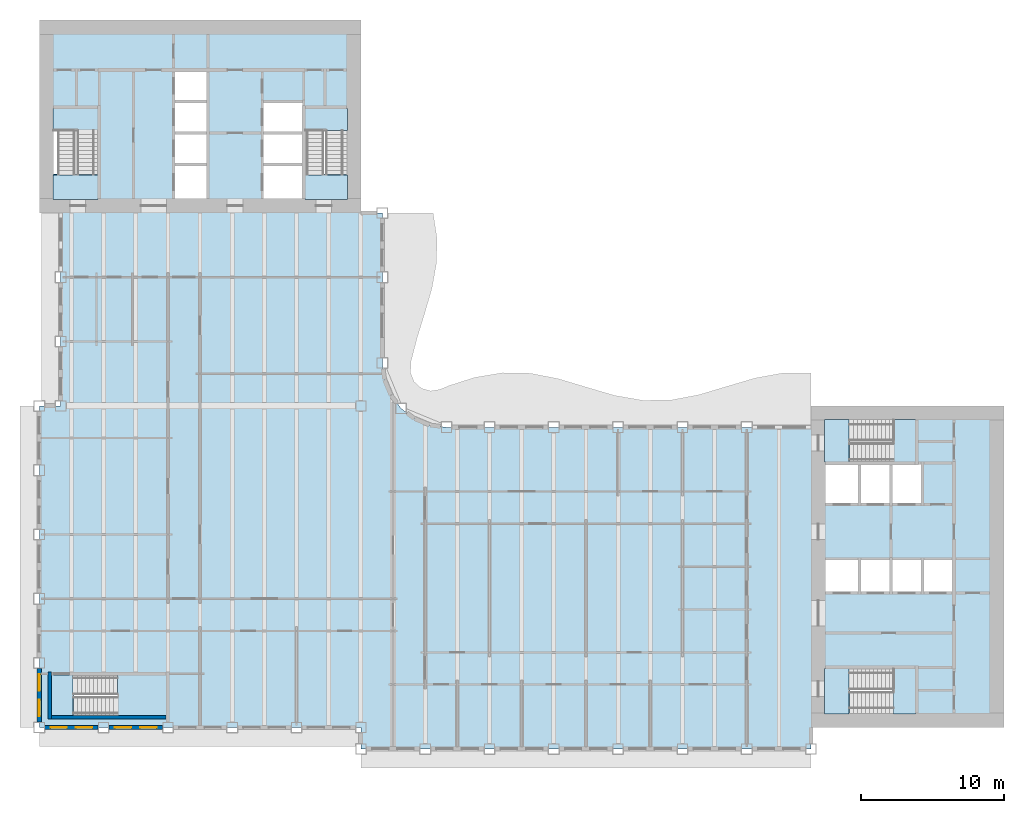
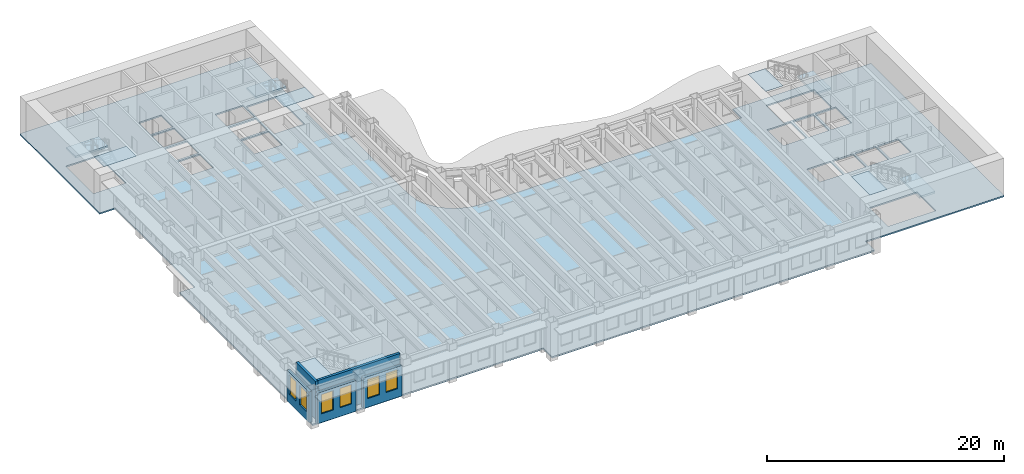
# One storey, part 2 of 16: 11 slabs, 6 windows, 5 walls, 6 openings, 5 elements without a shape of their own.
"""IFC4 building model written with IfcOpenShell, lengths in metres."""

from ifc_helpers import new_model, si_unit, direction, frame, frame_2d, origin, place, context, subcontext, project, spatial, polyline, rectangle, outline, extrude, material, layer, layer_set, type_object, element, fill, aggregate, save


model = new_model("IFC4")

# Units and contexts
model_context = context("Model", 3, precision=1e-05, world=origin(), true_north=direction((0.0, 1.0)))
body_context = subcontext(model_context, "Body", "Model", "MODEL_VIEW")
ifc_project = project(units=[si_unit("LENGTHUNIT", "METRE"), si_unit("AREAUNIT", "SQUARE_METRE"), si_unit("VOLUMEUNIT", "CUBIC_METRE"), si_unit("PLANEANGLEUNIT", "RADIAN"), si_unit("MASSUNIT", "GRAM", prefix="KILO")], contexts=[model_context])

# Site, building, storey
site_placement = place(None, origin())
site = spatial("IfcSite", under=ifc_project, at=site_placement, CompositionType="ELEMENT")
building_placement = place(site_placement, origin())
building = spatial("IfcBuilding", under=site, at=building_placement, Name="Sennacour Bend Tower", CompositionType="ELEMENT")
storey_placement = place(building_placement, frame((0.0, 0.0, 223.0)))
storey = spatial("IfcBuildingStorey", under=building, at=storey_placement, Name="L51", CompositionType="ELEMENT", Elevation=223.0)

# Slabs
ifc_material_1 = material(Name="Concrete C30/37", Category="concrete")
ifc_layer_1 = layer(ifc_material_1, 0.14990234375, Name="Concrete C30/37", Category="concrete")
ifc_layer_set_1 = layer_set([ifc_layer_1], Name="Concrete C30/37")
slab_type_1 = type_object("IfcSlabType", Name="Floor slab 150", PredefinedType="FLOOR", material=ifc_layer_set_1)
slab_1_placement = place(storey_placement, frame((0.0, 0.0, -0.14990234375)))
element("IfcSlab", 1, at=slab_1_placement, inside=storey, type_object=slab_type_1, Name="Floor slab L51-01", PredefinedType="FLOOR", context=body_context, shape_type="SweptSolid", body=[
    extrude(outline(polyline([(22.5, 0.0), (0.0, 0.0), (0.0, 22.5), (1.5, 22.5), (1.5, 36.0), (0.0, 36.0), (0.0, 49.5), (22.5, 49.5), (22.5, 36.0), (24.0, 36.0), (24.0, 25.5), (24.1533203125, 24.335205078125), (24.602783203125, 23.25), (25.318115234375, 22.318115234375), (26.25, 21.602783203125), (27.335205078125, 21.1533203125), (28.5, 21.0), (54.0, 21.0), (54.0, 22.5), (67.5, 22.5), (67.5, 0.0), (54.0, 0.0), (54.0, -1.5), (22.5, -1.5), (22.5, 0.0)]), holes=[polyline([(8.800048828125, 0.949951171875), (8.800048828125, 3.5), (2.429931640625, 3.5), (2.429931640625, 0.949951171875), (8.800048828125, 0.949951171875)]), polyline([(11.699951171875, 37.0), (11.699951171875, 39.300048828125), (9.5, 39.300048828125), (9.5, 37.0), (11.699951171875, 37.0)]), polyline([(18.39990234375, 37.0), (18.39990234375, 39.300048828125), (15.699951171875, 39.300048828125), (15.699951171875, 37.0), (18.39990234375, 37.0)]), polyline([(11.699951171875, 39.5), (11.699951171875, 41.5), (9.5, 41.5), (9.5, 39.5), (11.699951171875, 39.5)]), polyline([(18.39990234375, 39.5), (18.39990234375, 41.5), (15.699951171875, 41.5), (15.699951171875, 39.5), (18.39990234375, 39.5)]), polyline([(4.125, 38.72998046875), (4.125, 43.39990234375), (0.949951171875, 43.39990234375), (0.949951171875, 38.72998046875), (4.125, 38.72998046875)]), polyline([(21.550048828125, 38.72998046875), (21.550048828125, 43.39990234375), (18.574951171875, 43.39990234375), (18.574951171875, 38.72998046875), (21.550048828125, 38.72998046875)]), polyline([(9.5, 41.699951171875), (11.699951171875, 41.699951171875), (11.699951171875, 43.699951171875), (9.5, 43.699951171875), (9.5, 41.699951171875)]), polyline([(15.699951171875, 41.699951171875), (18.39990234375, 41.699951171875), (18.39990234375, 43.699951171875), (15.699951171875, 43.699951171875), (15.699951171875, 41.699951171875)]), polyline([(11.699951171875, 43.89990234375), (11.699951171875, 45.89990234375), (9.5, 45.89990234375), (9.5, 43.89990234375), (11.699951171875, 43.89990234375)]), polyline([(61.39990234375, 0.949951171875), (61.39990234375, 4.125), (56.72998046875, 4.125), (56.72998046875, 0.949951171875), (61.39990234375, 0.949951171875)]), polyline([(57.300048828125, 9.5), (57.300048828125, 11.699951171875), (55.0, 11.699951171875), (55.0, 9.5), (57.300048828125, 9.5)]), polyline([(57.5, 9.5), (59.5, 9.5), (59.5, 11.699951171875), (57.5, 11.699951171875), (57.5, 9.5)]), polyline([(59.699951171875, 9.5), (61.699951171875, 9.5), (61.699951171875, 11.699951171875), (59.699951171875, 11.699951171875), (59.699951171875, 9.5)]), polyline([(63.89990234375, 9.5), (63.89990234375, 11.699951171875), (61.89990234375, 11.699951171875), (61.89990234375, 9.5), (63.89990234375, 9.5)]), polyline([(57.300048828125, 15.699951171875), (57.300048828125, 18.39990234375), (55.0, 18.39990234375), (55.0, 15.699951171875), (57.300048828125, 15.699951171875)]), polyline([(59.5, 15.699951171875), (59.5, 18.39990234375), (57.5, 18.39990234375), (57.5, 15.699951171875), (59.5, 15.699951171875)]), polyline([(59.699951171875, 15.699951171875), (61.699951171875, 15.699951171875), (61.699951171875, 18.39990234375), (59.699951171875, 18.39990234375), (59.699951171875, 15.699951171875)]), polyline([(56.72998046875, 18.574951171875), (61.39990234375, 18.574951171875), (61.39990234375, 21.550048828125), (56.72998046875, 21.550048828125), (56.72998046875, 18.574951171875)])]), origin(), (0.0, 0.0, 1.0), 0.14990234375),
])
ifc_material_2 = material(Name="Concrete C40/50", Category="concrete")
ifc_layer_2 = layer(ifc_material_2, 0.034912109375, Name="Concrete C40/50", Category="concrete")
ifc_layer_set_2 = layer_set([ifc_layer_2], Name="Concrete C40/50")
slab_type_2 = type_object("IfcSlabType", Name="Stair arrival nib 35", PredefinedType="FLOOR", material=ifc_layer_set_2)
slab_2_placement = place(storey_placement, frame((0.0, 0.0, 3.815185546875)))
element("IfcSlab", 2, at=slab_2_placement, inside=storey, type_object=slab_type_2, Name="L51 SA1 stair arrival nib", PredefinedType="FLOOR", context=body_context, shape_type="SweptSolid", body=[
    extrude(outline(polyline([(56.64208984375, 4.125), (54.949951171875, 4.125), (54.949951171875, 0.949951171875), (56.64208984375, 0.949951171875), (56.64208984375, 4.125)])), origin(), (0.0, 0.0, 1.0), 0.034912109375),
])
slab_3_placement = place(storey_placement, frame((0.0, 0.0, 3.815185546875)))
element("IfcSlab", 3, at=slab_3_placement, inside=storey, type_object=slab_type_2, Name="L51 SA2 stair arrival nib", PredefinedType="FLOOR", context=body_context, shape_type="SweptSolid", body=[
    extrude(outline(polyline([(56.64208984375, 21.550048828125), (54.949951171875, 21.550048828125), (54.949951171875, 18.574951171875), (56.64208984375, 18.574951171875), (56.64208984375, 21.550048828125)])), origin(), (0.0, 0.0, 1.0), 0.034912109375),
])
slab_4_placement = place(storey_placement, frame((0.0, 0.0, 3.815185546875)))
element("IfcSlab", 4, at=slab_4_placement, inside=storey, type_object=slab_type_2, Name="L51 SB1 stair arrival nib", PredefinedType="FLOOR", context=body_context, shape_type="SweptSolid", body=[
    extrude(outline(polyline([(0.949951171875, 38.64208984375), (0.949951171875, 36.949951171875), (4.125, 36.949951171875), (4.125, 38.64208984375), (0.949951171875, 38.64208984375)])), origin(), (0.0, 0.0, 1.0), 0.034912109375),
])
slab_5_placement = place(storey_placement, frame((0.0, 0.0, 3.815185546875)))
element("IfcSlab", 5, at=slab_5_placement, inside=storey, type_object=slab_type_2, Name="L51 SB2 stair arrival nib", PredefinedType="FLOOR", context=body_context, shape_type="SweptSolid", body=[
    extrude(outline(polyline([(18.574951171875, 38.64208984375), (18.574951171875, 36.949951171875), (21.550048828125, 36.949951171875), (21.550048828125, 38.64208984375), (18.574951171875, 38.64208984375)])), origin(), (0.0, 0.0, 1.0), 0.034912109375),
])
slab_6_placement = place(storey_placement, frame((0.0, 0.0, 3.815185546875)))
element("IfcSlab", 6, at=slab_6_placement, inside=storey, type_object=slab_type_2, Name="L51 SK1 stair arrival nib", PredefinedType="FLOOR", context=body_context, shape_type="SweptSolid", body=[
    extrude(outline(polyline([(2.342041015625, 3.675048828125), (0.800048828125, 3.675048828125), (0.800048828125, 0.800048828125), (2.342041015625, 0.800048828125), (2.342041015625, 3.675048828125)])), origin(), (0.0, 0.0, 1.0), 0.034912109375),
])

# Stair, slab
stair_type = type_object("IfcStairType", Name="ST-DOGLEG", PredefinedType="HALF_TURN_STAIR", material=ifc_material_2)
stair_1_placement = place(storey_placement, origin())
stair_1 = element("IfcStair", 7, at=stair_1_placement, inside=storey, type_object=stair_type, Name="L51 Exit stair A1", PredefinedType="HALF_TURN_STAIR")
ifc_layer_3 = layer(ifc_material_2, 0.199951171875, Name="Concrete C40/50", Category="concrete")
ifc_layer_set_3 = layer_set([ifc_layer_3], Name="Concrete C40/50")
slab_type_3 = type_object("IfcSlabType", Name="Stair landing 200", PredefinedType="LANDING", material=ifc_layer_set_3)
slab_7_placement = place(storey_placement, frame((0.0, 0.0, 1.800048828125)))
slab_7 = element("IfcSlab", 8, at=slab_7_placement, type_object=slab_type_3, Name="SA1 landing 1", PredefinedType="LANDING", context=body_context, shape_type="SweptSolid", body=[
    extrude(outline(polyline([(59.780029296875, 0.949951171875), (61.324951171875, 0.949951171875), (61.324951171875, 4.125), (59.780029296875, 4.125), (59.780029296875, 0.949951171875)])), origin(), (0.0, 0.0, 1.0), 0.199951171875),
])
aggregate(stair_1, [slab_7])

stair_2_placement = place(storey_placement, origin())
stair_2 = element("IfcStair", 9, at=stair_2_placement, inside=storey, type_object=stair_type, Name="L51 Exit stair A2", PredefinedType="HALF_TURN_STAIR")
slab_8_placement = place(storey_placement, frame((0.0, 0.0, 1.800048828125)))
slab_8 = element("IfcSlab", 10, at=slab_8_placement, type_object=slab_type_3, Name="SA2 landing 1", PredefinedType="LANDING", context=body_context, shape_type="SweptSolid", body=[
    extrude(outline(polyline([(59.780029296875, 18.574951171875), (61.324951171875, 18.574951171875), (61.324951171875, 21.550048828125), (59.780029296875, 21.550048828125), (59.780029296875, 18.574951171875)])), origin(), (0.0, 0.0, 1.0), 0.199951171875),
])
aggregate(stair_2, [slab_8])

stair_3_placement = place(storey_placement, origin())
stair_3 = element("IfcStair", 11, at=stair_3_placement, inside=storey, type_object=stair_type, Name="L51 Exit stair B1", PredefinedType="HALF_TURN_STAIR")
slab_9_placement = place(storey_placement, frame((0.0, 0.0, 1.800048828125)))
slab_9 = element("IfcSlab", 12, at=slab_9_placement, type_object=slab_type_3, Name="SB1 landing 1", PredefinedType="LANDING", context=body_context, shape_type="SweptSolid", body=[
    extrude(outline(polyline([(0.949951171875, 41.780029296875), (4.125, 41.780029296875), (4.125, 43.324951171875), (0.949951171875, 43.324951171875), (0.949951171875, 41.780029296875)])), origin(), (0.0, 0.0, 1.0), 0.199951171875),
])
aggregate(stair_3, [slab_9])

stair_4_placement = place(storey_placement, origin())
stair_4 = element("IfcStair", 13, at=stair_4_placement, inside=storey, type_object=stair_type, Name="L51 Exit stair B2", PredefinedType="HALF_TURN_STAIR")
slab_10_placement = place(storey_placement, frame((0.0, 0.0, 1.800048828125)))
slab_10 = element("IfcSlab", 14, at=slab_10_placement, type_object=slab_type_3, Name="SB2 landing 1", PredefinedType="LANDING", context=body_context, shape_type="SweptSolid", body=[
    extrude(outline(polyline([(18.574951171875, 41.780029296875), (21.550048828125, 41.780029296875), (21.550048828125, 43.324951171875), (18.574951171875, 43.324951171875), (18.574951171875, 41.780029296875)])), origin(), (0.0, 0.0, 1.0), 0.199951171875),
])
aggregate(stair_4, [slab_10])

stair_5_placement = place(storey_placement, origin())
stair_5 = element("IfcStair", 15, at=stair_5_placement, inside=storey, type_object=stair_type, Name="L51 Exit stair K1", PredefinedType="HALF_TURN_STAIR")
slab_11_placement = place(storey_placement, frame((0.0, 0.0, 1.800048828125)))
slab_11 = element("IfcSlab", 16, at=slab_11_placement, type_object=slab_type_3, Name="SK1 landing 1", PredefinedType="LANDING", context=body_context, shape_type="SweptSolid", body=[
    extrude(outline(polyline([(5.47998046875, 0.800048828125), (8.925048828125, 0.800048828125), (8.925048828125, 3.675048828125), (5.47998046875, 3.675048828125), (5.47998046875, 0.800048828125)])), origin(), (0.0, 0.0, 1.0), 0.199951171875),
])
aggregate(stair_5, [slab_11])

# Wall, openings, windows
ifc_material_3 = material(Name="Warm limestone cladding", Category="masonry")
ifc_layer_4 = layer(ifc_material_3, 0.050048828125, Name="Warm limestone cladding", Category="masonry")
ifc_material_4 = material(Name="Precast concrete C40/50", Category="concrete")
ifc_layer_5 = layer(ifc_material_4, 0.25, Name="Precast concrete C40/50", Category="concrete")
ifc_layer_set_4 = layer_set([ifc_layer_4, ifc_layer_5], Name="Precast concrete C40/50 with limestone cladding")
wall_type_1 = type_object("IfcWallType", Name="STONE-CLAD PRECAST SPANDREL 300", PredefinedType="STANDARD", material=ifc_layer_set_4)
wall_1_placement = place(storey_placement, frame((0.0, 4.125, 0.0), z_axis=(0.0, 0.0, 1.0), x_axis=(0.0, -1.0, 0.0)))
wall_1 = element("IfcWall", 17, at=wall_1_placement, inside=storey, type_object=wall_type_1, Name="Stone spandrel and pier wall L51 21.04", PredefinedType="STANDARD", context=body_context, shape_type="SweptSolid", body=[
    extrude(rectangle(XDim=3.75, YDim=0.300048828125, at=frame_2d((1.875, 0.0))), origin(), (0.0, 0.0, 1.0), 3.156982421875),
])
opening_1_placement = place(wall_1_placement, frame((0.41259765625, 0.0, 0.89990234375)))
opening_1 = element("IfcOpeningElement", 18, at=opening_1_placement, cuts=wall_1, Name="Opening W24", PredefinedType="OPENING", context=body_context, shape_type="SweptSolid", body=[
    extrude(rectangle(XDim=1.14990234375, YDim=2.0, at=frame_2d((0.574951171875, 1.0))), frame((0.0, 0.16015625, 0.0), z_axis=(0.0, -1.0, 0.0), x_axis=(1.0, 0.0, 0.0)), (0.0, 0.0, 1.0), 0.320068359375),
])
opening_2_placement = place(wall_1_placement, frame((2.1875, 0.0, 0.89990234375)))
opening_2 = element("IfcOpeningElement", 19, at=opening_2_placement, cuts=wall_1, Name="Opening W24", PredefinedType="OPENING", context=body_context, shape_type="SweptSolid", body=[
    extrude(rectangle(XDim=1.14990234375, YDim=2.0, at=frame_2d((0.574951171875, 1.0))), frame((0.0, 0.16015625, 0.0), z_axis=(0.0, -1.0, 0.0), x_axis=(1.0, 0.0, 0.0)), (0.0, 0.0, 1.0), 0.320068359375),
])
ifc_material_5 = material(Name="Clear low-emissivity glass", Category="glass")
window_type = type_object("IfcWindowType", Name="WIN-RIBBON-1150x2000", PartitioningType="SINGLE_PANEL", PredefinedType="WINDOW", material=ifc_material_5)
window_1_placement = place(opening_1_placement, origin())
window_1 = element("IfcWindow", 20, at=window_1_placement, inside=storey, type_object=window_type, Name="Ribbon window L51 21.04.0", OverallHeight=2.0, OverallWidth=1.14990234375, PartitioningType="SINGLE_PANEL", PredefinedType="WINDOW", context=body_context, shape_type="SweptSolid", body=[
    extrude(rectangle(XDim=1.14990234375, YDim=2.0, at=frame_2d((0.574951171875, 1.0))), frame((0.0, 0.030029296875, 0.0), z_axis=(0.0, -1.0, 0.0), x_axis=(1.0, 0.0, 0.0)), (0.0, 0.0, 1.0), 0.06005859375),
])
fill(opening_1, window_1)
window_2_placement = place(opening_2_placement, origin())
window_2 = element("IfcWindow", 21, at=window_2_placement, inside=storey, type_object=window_type, Name="Ribbon window L51 21.04.1", OverallHeight=2.0, OverallWidth=1.14990234375, PartitioningType="SINGLE_PANEL", PredefinedType="WINDOW", context=body_context, shape_type="SweptSolid", body=[
    extrude(rectangle(XDim=1.14990234375, YDim=2.0, at=frame_2d((0.574951171875, 1.0))), frame((0.0, 0.030029296875, 0.0), z_axis=(0.0, -1.0, 0.0), x_axis=(1.0, 0.0, 0.0)), (0.0, 0.0, 1.0), 0.06005859375),
])
fill(opening_2, window_2)

wall_2_placement = place(storey_placement, frame((0.375, 0.0, 0.0), z_axis=(0.0, 0.0, 1.0), x_axis=(1.0, 0.0, 0.0)))
wall_2 = element("IfcWall", 22, at=wall_2_placement, inside=storey, type_object=wall_type_1, Name="Stone spandrel and pier wall L51 22.00", PredefinedType="STANDARD", context=body_context, shape_type="SweptSolid", body=[
    extrude(rectangle(XDim=3.75, YDim=0.300048828125, at=frame_2d((1.875, 0.0))), origin(), (0.0, 0.0, 1.0), 3.156982421875),
])
opening_3_placement = place(wall_2_placement, frame((0.41259765625, 0.0, 0.89990234375)))
opening_3 = element("IfcOpeningElement", 23, at=opening_3_placement, cuts=wall_2, Name="Opening W24", PredefinedType="OPENING", context=body_context, shape_type="SweptSolid", body=[
    extrude(rectangle(XDim=1.14990234375, YDim=2.0, at=frame_2d((0.574951171875, 1.0))), frame((0.0, 0.16015625, 0.0), z_axis=(0.0, -1.0, 0.0), x_axis=(1.0, 0.0, 0.0)), (0.0, 0.0, 1.0), 0.320068359375),
])
opening_4_placement = place(wall_2_placement, frame((2.1875, 0.0, 0.89990234375)))
opening_4 = element("IfcOpeningElement", 24, at=opening_4_placement, cuts=wall_2, Name="Opening W24", PredefinedType="OPENING", context=body_context, shape_type="SweptSolid", body=[
    extrude(rectangle(XDim=1.14990234375, YDim=2.0, at=frame_2d((0.574951171875, 1.0))), frame((0.0, 0.16015625, 0.0), z_axis=(0.0, -1.0, 0.0), x_axis=(1.0, 0.0, 0.0)), (0.0, 0.0, 1.0), 0.320068359375),
])
window_3_placement = place(opening_3_placement, origin())
window_3 = element("IfcWindow", 25, at=window_3_placement, inside=storey, type_object=window_type, Name="Ribbon window L51 22.00.0", OverallHeight=2.0, OverallWidth=1.14990234375, PartitioningType="SINGLE_PANEL", PredefinedType="WINDOW", context=body_context, shape_type="SweptSolid", body=[
    extrude(rectangle(XDim=1.14990234375, YDim=2.0, at=frame_2d((0.574951171875, 1.0))), frame((0.0, 0.030029296875, 0.0), z_axis=(0.0, -1.0, 0.0), x_axis=(1.0, 0.0, 0.0)), (0.0, 0.0, 1.0), 0.06005859375),
])
fill(opening_3, window_3)
window_4_placement = place(opening_4_placement, origin())
window_4 = element("IfcWindow", 26, at=window_4_placement, inside=storey, type_object=window_type, Name="Ribbon window L51 22.00.1", OverallHeight=2.0, OverallWidth=1.14990234375, PartitioningType="SINGLE_PANEL", PredefinedType="WINDOW", context=body_context, shape_type="SweptSolid", body=[
    extrude(rectangle(XDim=1.14990234375, YDim=2.0, at=frame_2d((0.574951171875, 1.0))), frame((0.0, 0.030029296875, 0.0), z_axis=(0.0, -1.0, 0.0), x_axis=(1.0, 0.0, 0.0)), (0.0, 0.0, 1.0), 0.06005859375),
])
fill(opening_4, window_4)

wall_3_placement = place(storey_placement, frame((4.875, 0.0, 0.0), z_axis=(0.0, 0.0, 1.0), x_axis=(1.0, 0.0, 0.0)))
wall_3 = element("IfcWall", 27, at=wall_3_placement, inside=storey, type_object=wall_type_1, Name="Stone spandrel and pier wall L51 22.01", PredefinedType="STANDARD", context=body_context, shape_type="SweptSolid", body=[
    extrude(rectangle(XDim=3.75, YDim=0.300048828125, at=frame_2d((1.875, 0.0))), origin(), (0.0, 0.0, 1.0), 3.156982421875),
])
opening_5_placement = place(wall_3_placement, frame((0.41259765625, 0.0, 0.89990234375)))
opening_5 = element("IfcOpeningElement", 28, at=opening_5_placement, cuts=wall_3, Name="Opening W24", PredefinedType="OPENING", context=body_context, shape_type="SweptSolid", body=[
    extrude(rectangle(XDim=1.14990234375, YDim=2.0, at=frame_2d((0.574951171875, 1.0))), frame((0.0, 0.16015625, 0.0), z_axis=(0.0, -1.0, 0.0), x_axis=(1.0, 0.0, 0.0)), (0.0, 0.0, 1.0), 0.320068359375),
])
opening_6_placement = place(wall_3_placement, frame((2.1875, 0.0, 0.89990234375)))
opening_6 = element("IfcOpeningElement", 29, at=opening_6_placement, cuts=wall_3, Name="Opening W24", PredefinedType="OPENING", context=body_context, shape_type="SweptSolid", body=[
    extrude(rectangle(XDim=1.14990234375, YDim=2.0, at=frame_2d((0.574951171875, 1.0))), frame((0.0, 0.16015625, 0.0), z_axis=(0.0, -1.0, 0.0), x_axis=(1.0, 0.0, 0.0)), (0.0, 0.0, 1.0), 0.320068359375),
])
window_5_placement = place(opening_5_placement, origin())
window_5 = element("IfcWindow", 30, at=window_5_placement, inside=storey, type_object=window_type, Name="Ribbon window L51 22.01.0", OverallHeight=2.0, OverallWidth=1.14990234375, PartitioningType="SINGLE_PANEL", PredefinedType="WINDOW", context=body_context, shape_type="SweptSolid", body=[
    extrude(rectangle(XDim=1.14990234375, YDim=2.0, at=frame_2d((0.574951171875, 1.0))), frame((0.0, 0.030029296875, 0.0), z_axis=(0.0, -1.0, 0.0), x_axis=(1.0, 0.0, 0.0)), (0.0, 0.0, 1.0), 0.06005859375),
])
fill(opening_5, window_5)
window_6_placement = place(opening_6_placement, origin())
window_6 = element("IfcWindow", 31, at=window_6_placement, inside=storey, type_object=window_type, Name="Ribbon window L51 22.01.1", OverallHeight=2.0, OverallWidth=1.14990234375, PartitioningType="SINGLE_PANEL", PredefinedType="WINDOW", context=body_context, shape_type="SweptSolid", body=[
    extrude(rectangle(XDim=1.14990234375, YDim=2.0, at=frame_2d((0.574951171875, 1.0))), frame((0.0, 0.030029296875, 0.0), z_axis=(0.0, -1.0, 0.0), x_axis=(1.0, 0.0, 0.0)), (0.0, 0.0, 1.0), 0.06005859375),
])
fill(opening_6, window_6)

# Walls
ifc_material_6 = material(Name="Concrete C60/75", Category="concrete")
ifc_layer_6 = layer(ifc_material_6, 0.25, Name="Concrete C60/75", Category="concrete")
ifc_layer_set_5 = layer_set([ifc_layer_6], Name="Concrete C60/75")
wall_type_2 = type_object("IfcWallType", Name="Stair wall 250", PredefinedType="SHEAR", material=ifc_layer_set_5)
wall_4_placement = place(storey_placement, frame((0.72509765625, 0.60009765625, 0.0), z_axis=(0.0, 0.0, 1.0), x_axis=(0.0, 1.0, 0.0)))
element("IfcWall", 32, at=wall_4_placement, inside=storey, type_object=wall_type_2, Name="P-L51-W002", PredefinedType="SHEAR", context=body_context, shape_type="SweptSolid", body=[
    extrude(rectangle(XDim=3.27490234375, YDim=0.25, at=frame_2d((1.637451171875, 0.0))), origin(), (0.0, 0.0, 1.0), 3.85009765625),
])
wall_5_placement = place(storey_placement, frame((0.85009765625, 0.72509765625, 0.0), z_axis=(0.0, 0.0, 1.0), x_axis=(1.0, 0.0, 0.0)))
element("IfcWall", 33, at=wall_5_placement, inside=storey, type_object=wall_type_2, Name="P-L51-W052", PredefinedType="SHEAR", context=body_context, shape_type="SweptSolid", body=[
    extrude(rectangle(XDim=8.02490234375, YDim=0.25, at=frame_2d((4.012451171875, 0.0))), origin(), (0.0, 0.0, 1.0), 3.85009765625),
])

save(model, "model.ifc")
